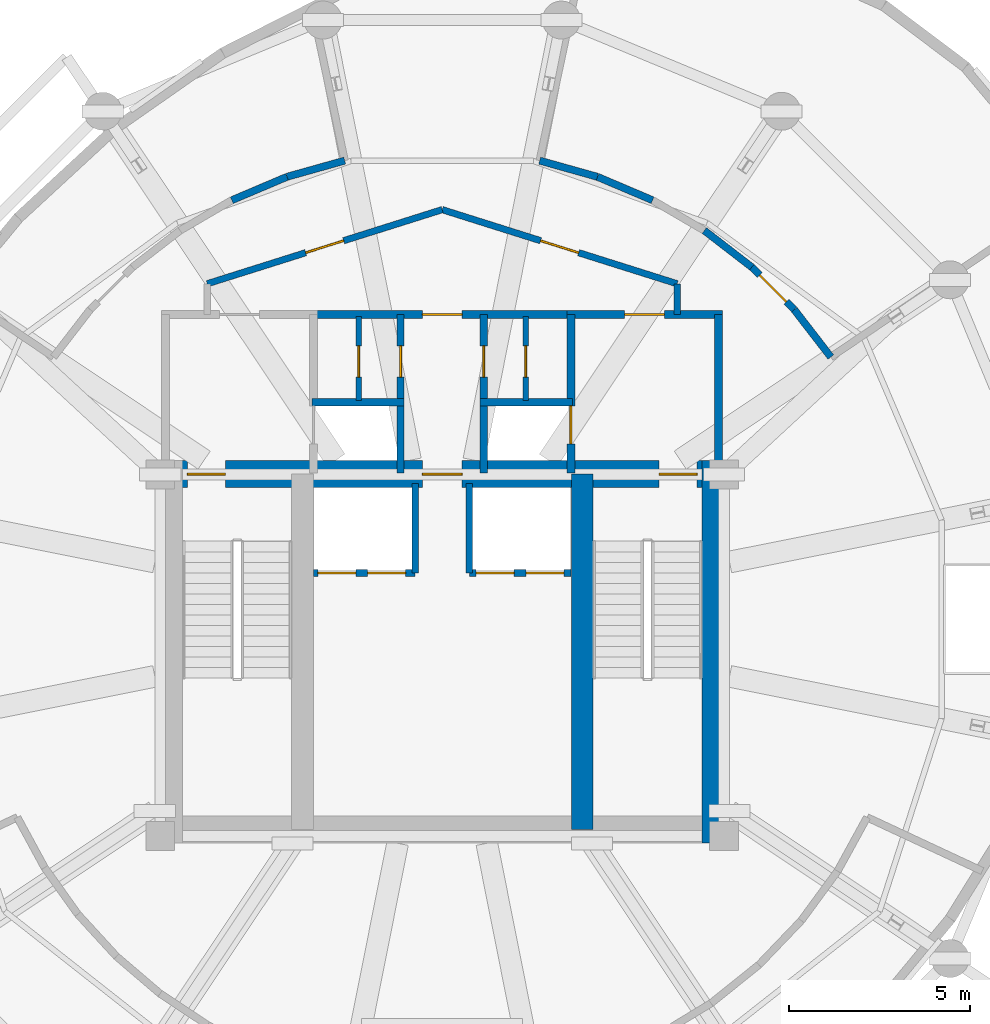
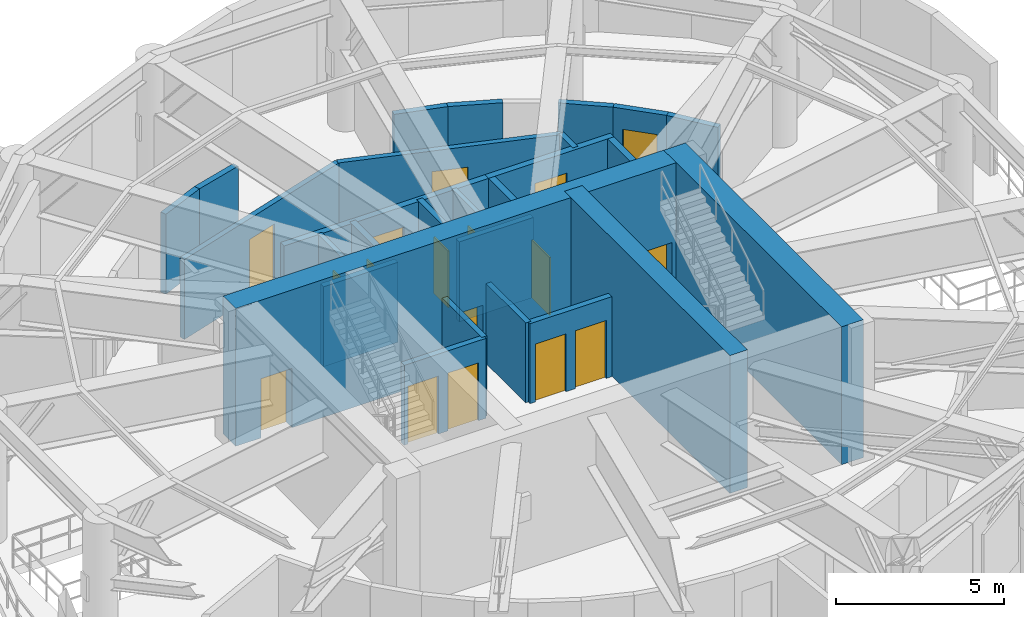
# One storey, part 4 of 7: 27 walls, 17 doors, 17 openings.
"""IFC4 building model written with IfcOpenShell, lengths in metres."""

import ifcopenshell
import ifcopenshell.guid

model = None  # the IFC model being written
_history = None  # IfcOwnerHistory: only IFC2X3 demands one
_inside = {}  # id of a spatial element -> (the spatial element, [elements in it])
_under = {}  # id of a project, library or spatial element -> (it, [spatial elements below it])
_declared = {}  # id of a project -> (the project, [libraries it declares])
_typed = {}  # id of a type object -> (the type object, [elements of that type])
_made_of = {}  # id of a material, layer set ... -> (it, [elements and type objects made of it])


def new_model(schema):
    """Start an empty IFC model of exactly this schema.

    Asked for "IFC4X3", IfcOpenShell would pick the latest addendum, in which some entities
    have other attributes; the version numbers below select the first issue.
    IFC2X3 requires an IfcOwnerHistory on every rooted entity: one is made here for all.
    """
    global model, _history
    if schema == "IFC4X3":
        model = ifcopenshell.file(schema_version=(4, 3, 0, 0))
    else:
        model = ifcopenshell.file(schema=schema)
    _inside.clear()
    _under.clear()
    _declared.clear()
    _typed.clear()
    _made_of.clear()
    _history = None
    if model.schema == "IFC2X3":
        org = make("IfcOrganization", Name="unknown")
        user = make(
            "IfcPersonAndOrganization",
            ThePerson=make("IfcPerson", FamilyName="unknown"),
            TheOrganization=org,
        )
        app = make(
            "IfcApplication",
            ApplicationDeveloper=org,
            Version="unknown",
            ApplicationFullName="unknown",
            ApplicationIdentifier="unknown",
        )
        _history = make(
            "IfcOwnerHistory",
            OwningUser=user,
            OwningApplication=app,
            ChangeAction="ADDED",
            CreationDate=0,
        )
    return model


def make(cls, **values):
    """One entity of the class cls with the attributes given. An attribute that is None is left unset."""
    return model.create_entity(
        cls, **{name: value for name, value in values.items() if value is not None}
    )


def rooted(cls, **values):
    """An entity with a GlobalId (a new one), such as an element, a storey or a relation."""
    return make(cls, GlobalId=ifcopenshell.guid.new(), OwnerHistory=_history, **values)


def si_unit(unit_type, name, prefix=None):
    """IfcSIUnit, for example si_unit("LENGTHUNIT", "METRE", prefix="MILLI")."""
    return make("IfcSIUnit", UnitType=unit_type, Prefix=prefix, Name=name)


def assignment(units):
    """IfcUnitAssignment: the units of a project."""
    return None if units is None else make("IfcUnitAssignment", Units=units)


def point(xyz):
    """IfcCartesianPoint."""
    return None if xyz is None else make("IfcCartesianPoint", Coordinates=xyz)


def direction(xyz):
    """IfcDirection."""
    return None if xyz is None else make("IfcDirection", DirectionRatios=xyz)


def frame(location, z_axis=None, x_axis=None):
    """IfcAxis2Placement3D, a coordinate frame: its origin and axes. An axis left out is left unset."""
    return make(
        "IfcAxis2Placement3D",
        Location=point(location),
        Axis=direction(z_axis),
        RefDirection=direction(x_axis),
    )


def frame_2d(location, x_axis=None):
    """IfcAxis2Placement2D, a coordinate frame in the plane: its origin and x axis."""
    return make(
        "IfcAxis2Placement2D", Location=point(location), RefDirection=direction(x_axis)
    )


def origin():
    """The frame at (0, 0, 0) with its axes left unset."""
    return frame((0.0, 0.0, 0.0))


def place(relative_to, where):
    """IfcLocalPlacement: puts the frame where relative to a parent placement (None: the world)."""
    return make(
        "IfcLocalPlacement", PlacementRelTo=relative_to, RelativePlacement=where
    )


def context(
    kind, dimensions, precision=None, world=None, true_north=None, identifier=None
):
    """IfcGeometricRepresentationContext, for example the 3D "Model" context."""
    return make(
        "IfcGeometricRepresentationContext",
        ContextIdentifier=identifier,
        ContextType=kind,
        CoordinateSpaceDimension=dimensions,
        Precision=precision,
        WorldCoordinateSystem=world,
        TrueNorth=true_north,
    )


def subcontext(parent, identifier, kind, view, scale=None):
    """IfcGeometricRepresentationSubContext, for example "Body" below "Model"."""
    return make(
        "IfcGeometricRepresentationSubContext",
        ContextIdentifier=identifier,
        ContextType=kind,
        ParentContext=parent,
        TargetScale=scale,
        TargetView=view,
    )


def project(units=None, contexts=None):
    """IfcProject with its units and contexts."""
    return rooted(
        "IfcProject",
        Name="project",
        RepresentationContexts=contexts,
        UnitsInContext=assignment(units),
    )


def spatial(cls, under=None, at=None, **own):
    """A site, building, storey or space (cls), placed at a placement, below another one or the project."""
    s = rooted(cls, ObjectPlacement=at, **own)
    if under is not None:
        _under.setdefault(under.id(), (under, []))[1].append(s)
    return s


def profile(cls, at=None, kind="AREA", **sizes):
    """A parametric profile (cls). Its sizes go by their IFC names, for example OverallWidth=200.0."""
    return make(cls, ProfileType=kind, Position=at, **sizes)


def rectangle(**sizes):
    """IfcRectangleProfileDef."""
    return profile("IfcRectangleProfileDef", **sizes)


def extrude(swept, where, along, depth):
    """IfcExtrudedAreaSolid: the profile swept, set in the frame where, extruded along a direction by depth."""
    return make(
        "IfcExtrudedAreaSolid",
        SweptArea=swept,
        Position=where,
        ExtrudedDirection=direction(along),
        Depth=depth,
    )


def shape(context_of_items, identifier, shape_type, items):
    """IfcShapeRepresentation: the items that make up one representation, for example the "Body"."""
    return make(
        "IfcShapeRepresentation",
        ContextOfItems=context_of_items,
        RepresentationIdentifier=identifier,
        RepresentationType=shape_type,
        Items=items,
    )


def material(Name=None, Category=None):
    """IfcMaterial."""
    return make("IfcMaterial", Name=Name, Category=Category)


def layer(
    of_material, thickness, ventilated=None, Name=None, Category=None, Priority=None
):
    """IfcMaterialLayer: one layer of a wall or slab, of a material (None: an air gap)."""
    return make(
        "IfcMaterialLayer",
        Material=of_material,
        LayerThickness=thickness,
        IsVentilated=ventilated,
        Name=Name,
        Category=Category,
        Priority=Priority,
    )


def layer_set(layers, Name=None):
    """IfcMaterialLayerSet."""
    return make("IfcMaterialLayerSet", MaterialLayers=layers, LayerSetName=Name)


def made_of(thing, what):
    """Note that an element or type object is made of a material, layer set ...; save() writes the relation."""
    if what is not None:
        _made_of.setdefault(what.id(), (what, []))[1].append(thing)
    return thing


def type_object(cls, material=None, **own):
    """A type object (cls), such as IfcWallType, which elements share."""
    return made_of(rooted(cls, **own), material)


def element(
    cls,
    number,
    at=None,
    inside=None,
    cuts=None,
    type_object=None,
    material=None,
    context=None,
    identifier="Body",
    shape_type=None,
    held_by="IfcProductDefinitionShape",
    body=None,
    shapes=None,
    **own,
):
    """One element of the class cls, such as IfcWall. Its Tag is "e" and its number.

    at: its placement. inside: the storey or other place that contains it. cuts: it is an
    opening in that element (IfcRelVoidsElement). A single representation is given by context,
    identifier, shape_type and body (its items); several are given by shapes. held_by: the class
    of the entity that holds the representations. save() writes the other relations.
    """
    e = rooted(cls, Tag="e%d" % number, ObjectPlacement=at, **own)
    if body is not None:
        shapes = [shape(context, identifier, shape_type, body)]
    if shapes is not None:
        e.Representation = make(held_by, Representations=shapes)
    if inside is not None:
        _inside.setdefault(inside.id(), (inside, []))[1].append(e)
    if cuts is not None:
        rooted(
            "IfcRelVoidsElement", RelatingBuildingElement=cuts, RelatedOpeningElement=e
        )
    if type_object is not None:
        _typed.setdefault(type_object.id(), (type_object, []))[1].append(e)
    return made_of(e, material)


def fill(opening, filler):
    """IfcRelFillsElement: the door or window that sits in an opening."""
    return rooted(
        "IfcRelFillsElement",
        RelatingOpeningElement=opening,
        RelatedBuildingElement=filler,
    )


def aggregate(whole, parts):
    """IfcRelAggregates: a whole, such as a stair, and the parts it consists of."""
    return rooted("IfcRelAggregates", RelatingObject=whole, RelatedObjects=parts)


def save(model, path):
    """Write the relations noted so far, then the file.

    IfcRelAggregates (storeys below a building ...), IfcRelContainedInSpatialStructure (elements
    in a storey), IfcRelDefinesByType, IfcRelAssociatesMaterial and IfcRelDeclares: one each for
    every whole, place, type object, material and project.
    """
    for whole, parts in _under.values():
        aggregate(whole, parts)
    for where, things in _inside.values():
        rooted(
            "IfcRelContainedInSpatialStructure",
            RelatedElements=things,
            RelatingStructure=where,
        )
    for kind, things in _typed.values():
        rooted("IfcRelDefinesByType", RelatedObjects=things, RelatingType=kind)
    for what, things in _made_of.values():
        rooted("IfcRelAssociatesMaterial", RelatedObjects=things, RelatingMaterial=what)
    for by, libraries in _declared.values():
        rooted("IfcRelDeclares", RelatingContext=by, RelatedDefinitions=libraries)
    model.write(path)


model = new_model("IFC4")

# Units and contexts
model_context = context("Model", 3, precision=1e-05, world=origin(), true_north=direction((0.0, 1.0)))
body_context = subcontext(model_context, "Body", "Model", "MODEL_VIEW")
ifc_project = project(units=[si_unit("LENGTHUNIT", "METRE"), si_unit("AREAUNIT", "SQUARE_METRE"), si_unit("VOLUMEUNIT", "CUBIC_METRE"), si_unit("PLANEANGLEUNIT", "RADIAN"), si_unit("MASSUNIT", "GRAM", prefix="KILO"), si_unit("THERMODYNAMICTEMPERATUREUNIT", "KELVIN"), si_unit("POWERUNIT", "WATT")], contexts=[model_context])

# Site, building, storey
site_placement = place(None, origin())
site = spatial("IfcSite", under=ifc_project, at=site_placement, CompositionType="ELEMENT")
building_placement = place(site_placement, origin())
building = spatial("IfcBuilding", under=site, at=building_placement, Name="Ocrelia Relay Tower", CompositionType="ELEMENT")
storey_placement = place(building_placement, frame((0.0, 0.0, 225.39990234375)))
storey = spatial("IfcBuildingStorey", under=building, at=storey_placement, Name="L55", CompositionType="ELEMENT", Elevation=225.39990234375)

# Wall, openings, doors
ifc_material_1 = material(Name="Concrete C60/75", Category="concrete")
ifc_layer_1 = layer(ifc_material_1, 0.75, Name="Concrete C60/75")
ifc_layer_set_1 = layer_set([ifc_layer_1], Name="Concrete C60/75")
wall_type_1 = type_object("IfcWallType", Name="CW-CORE-750", PredefinedType="SHEAR", material=ifc_layer_set_1)
wall_1_placement = place(storey_placement, frame((26.072021484375, 30.012939453125, 0.0), z_axis=(0.0, 0.0, 1.0), x_axis=(1.0, 0.0, 0.0)))
wall_1 = element("IfcWall", 1, at=wall_1_placement, inside=storey, type_object=wall_type_1, Name="L55 Core Shear Wall N", PredefinedType="SHEAR", context=body_context, shape_type="SweptSolid", body=[
    extrude(rectangle(XDim=15.865966796875, YDim=0.75, at=frame_2d((7.93310546875, 0.0))), origin(), (0.0, 0.0, 1.0), 5.0),
])
opening_1_placement = place(wall_1_placement, frame((0.8779296875, 0.0, 0.0)))
opening_1 = element("IfcOpeningElement", 2, at=opening_1_placement, cuts=wall_1, Name="Opening D-FD90", PredefinedType="OPENING", context=body_context, shape_type="SweptSolid", body=[
    extrude(rectangle(XDim=1.050048828125, YDim=2.14990234375, at=frame_2d((0.52490234375, 1.074951171875))), frame((0.0, 0.385009765625, 0.0), z_axis=(0.0, -1.0, 0.0), x_axis=(1.0, 0.0, 0.0)), (0.0, 0.0, 1.0), 0.77001953125),
])
opening_2_placement = place(wall_1_placement, frame((13.927978515625, 0.0, 0.0)))
opening_2 = element("IfcOpeningElement", 3, at=opening_2_placement, cuts=wall_1, Name="Opening D-FD90", PredefinedType="OPENING", context=body_context, shape_type="SweptSolid", body=[
    extrude(rectangle(XDim=1.050048828125, YDim=2.14990234375, at=frame_2d((0.52490234375, 1.074951171875))), frame((0.0, 0.385009765625, 0.0), z_axis=(0.0, -1.0, 0.0), x_axis=(1.0, 0.0, 0.0)), (0.0, 0.0, 1.0), 0.77001953125),
])
opening_3_placement = place(wall_1_placement, frame((7.3779296875, 0.0, 0.0)))
opening_3 = element("IfcOpeningElement", 4, at=opening_3_placement, cuts=wall_1, Name="Opening D-FD60", PredefinedType="OPENING", context=body_context, shape_type="SweptSolid", body=[
    extrude(rectangle(XDim=1.10009765625, YDim=2.14990234375, at=frame_2d((0.550048828125, 1.074951171875))), frame((0.0, 0.385009765625, 0.0), z_axis=(0.0, -1.0, 0.0), x_axis=(1.0, 0.0, 0.0)), (0.0, 0.0, 1.0), 0.77001953125),
])
ifc_material_2 = material(Name="Timber-core 60-min acoustic fire door", Category="wood")
door_type_1 = type_object("IfcDoorType", Name="DR-LOBBY-FD60-1100", OperationType="NOTDEFINED", PredefinedType="DOOR", material=ifc_material_2)
door_1_placement = place(opening_3_placement, origin())
door_1 = element("IfcDoor", 5, at=door_1_placement, inside=storey, type_object=door_type_1, Name="L55 Core Lift Lobby North Fire Door", OperationType="SINGLE_SWING_RIGHT", OverallHeight=2.14990234375, OverallWidth=1.10009765625, PredefinedType="DOOR", context=body_context, shape_type="SweptSolid", body=[
    extrude(rectangle(XDim=1.10009765625, YDim=2.14990234375, at=frame_2d((0.550048828125, 1.074951171875))), frame((0.0, 0.02490234375, 0.0), z_axis=(0.0, -1.0, 0.0), x_axis=(1.0, 0.0, 0.0)), (0.0, 0.0, 1.0), 0.050048828125),
])
fill(opening_3, door_1)
ifc_material_3 = material(Name="Steel S355 90-min fire door", Category="steel")
door_type_2 = type_object("IfcDoorType", Name="DR-STAIR-FD90-1050", OperationType="NOTDEFINED", PredefinedType="DOOR", material=ifc_material_3)
door_2_placement = place(opening_1_placement, origin())
door_2 = element("IfcDoor", 6, at=door_2_placement, inside=storey, type_object=door_type_2, Name="L55 Stair ST1 Fire Door", OperationType="SINGLE_SWING_RIGHT", OverallHeight=2.14990234375, OverallWidth=1.050048828125, PredefinedType="DOOR", context=body_context, shape_type="SweptSolid", body=[
    extrude(rectangle(XDim=1.050048828125, YDim=2.14990234375, at=frame_2d((0.52490234375, 1.074951171875))), frame((0.0, 0.02490234375, 0.0), z_axis=(0.0, -1.0, 0.0), x_axis=(1.0, 0.0, 0.0)), (0.0, 0.0, 1.0), 0.050048828125),
])
fill(opening_1, door_2)
door_3_placement = place(opening_2_placement, origin())
door_3 = element("IfcDoor", 7, at=door_3_placement, inside=storey, type_object=door_type_2, Name="L55 Stair ST2 Fire Door", OperationType="SINGLE_SWING_LEFT", OverallHeight=2.14990234375, OverallWidth=1.050048828125, PredefinedType="DOOR", context=body_context, shape_type="SweptSolid", body=[
    extrude(rectangle(XDim=1.050048828125, YDim=2.14990234375, at=frame_2d((0.52490234375, 1.074951171875))), frame((0.0, 0.02490234375, 0.0), z_axis=(0.0, -1.0, 0.0), x_axis=(1.0, 0.0, 0.0)), (0.0, 0.0, 1.0), 0.050048828125),
])
fill(opening_2, door_3)

# Walls
wall_2_placement = place(storey_placement, frame((41.56298828125, 19.81201171875, 0.0), z_axis=(0.0, 0.0, 1.0), x_axis=(0.0, 1.0, 0.0)))
element("IfcWall", 8, at=wall_2_placement, inside=storey, type_object=wall_type_1, Name="L55 Core Shear Wall E", PredefinedType="SHEAR", context=body_context, shape_type="SweptSolid", body=[
    extrude(rectangle(XDim=10.575927734375, YDim=0.75, at=frame_2d((5.2880859375, 0.0))), origin(), (0.0, 0.0, 1.0), 5.0),
])
wall_3_placement = place(storey_placement, frame((37.8720703125, 20.18701171875, 0.0), z_axis=(0.0, 0.0, 1.0), x_axis=(0.0, 1.0, 0.0)))
element("IfcWall", 9, at=wall_3_placement, inside=storey, type_object=wall_type_1, Name="L55 Core Shear Wall SPE", PredefinedType="SHEAR", context=body_context, shape_type="SweptSolid", body=[
    extrude(rectangle(XDim=9.825927734375, YDim=0.60009765625, at=frame_2d((4.9130859375, 0.0))), origin(), (0.0, 0.0, 1.0), 5.0),
])
ifc_material_4 = material(Name="Gypsum Fireboard Partition EI60", Category="gypsum")
ifc_layer_2 = layer(ifc_material_4, 0.179931640625, Name="Gypsum Fireboard Partition EI60")
ifc_layer_set_2 = layer_set([ifc_layer_2], Name="Gypsum Fireboard Partition EI60")
wall_type_2 = type_object("IfcWallType", Name="W-CORR-EI60-180", PredefinedType="PARTITIONING", material=ifc_layer_set_2)
wall_4_placement = place(storey_placement, frame((40.5, 35.280029296875, 0.0), z_axis=(0.0, 0.0, 1.0), x_axis=(0.0, -1.0, 0.0)))
element("IfcWall", 10, at=wall_4_placement, inside=storey, type_object=wall_type_2, Name="L55 Smoke Lobby East Return", PredefinedType="PARTITIONING", context=body_context, shape_type="SweptSolid", body=[
    extrude(rectangle(XDim=0.85009765625, YDim=0.179931640625, at=frame_2d((0.425048828125, 0.0))), origin(), (0.0, 0.0, 1.0), 2.900146484375),
])

# Wall, opening, door
wall_5_placement = place(storey_placement, frame((27.5, 35.280029296875, 0.0), z_axis=(0.0, 0.0, 1.0), x_axis=(0.953691418528, 0.300786765376, 0.0)))
wall_5 = element("IfcWall", 11, at=wall_5_placement, inside=storey, type_object=wall_type_2, Name="L55 North Smoke Lobby W Screen Wall", PredefinedType="PARTITIONING", context=body_context, shape_type="SweptSolid", body=[
    extrude(rectangle(XDim=6.815673828125, YDim=0.179931640625, at=frame_2d((3.40771484375, 0.0))), origin(), (0.0, 0.0, 1.0), 2.900146484375),
])
opening_4_placement = place(wall_5_placement, frame((2.85791015625, 0.0, 0.0)))
opening_4 = element("IfcOpeningElement", 12, at=opening_4_placement, cuts=wall_5, Name="Opening D-FD60", PredefinedType="OPENING", context=body_context, shape_type="SweptSolid", body=[
    extrude(rectangle(XDim=1.10009765625, YDim=2.14990234375, at=frame_2d((0.550048828125, 1.074951171875))), frame((0.0, 0.10009765625, 0.0), z_axis=(0.0, -1.0, 0.0), x_axis=(1.0, 0.0, 0.0)), (0.0, 0.0, 1.0), 0.199951171875),
])
door_4_placement = place(opening_4_placement, origin())
door_4 = element("IfcDoor", 13, at=door_4_placement, inside=storey, type_object=door_type_1, Name="L55 North Smoke Lobby W Fire Door", OperationType="SINGLE_SWING_RIGHT", OverallHeight=2.14990234375, OverallWidth=1.10009765625, PredefinedType="DOOR", context=body_context, shape_type="SweptSolid", body=[
    extrude(rectangle(XDim=1.10009765625, YDim=2.14990234375, at=frame_2d((0.550048828125, 1.074951171875))), frame((0.0, 0.02490234375, 0.0), z_axis=(0.0, -1.0, 0.0), x_axis=(1.0, 0.0, 0.0)), (0.0, 0.0, 1.0), 0.050048828125),
])
fill(opening_4, door_4)

wall_6_placement = place(storey_placement, frame((34.0, 37.330078125, 0.0), z_axis=(0.0, 0.0, 1.0), x_axis=(0.953691418528, -0.300786765376, 0.0)))
wall_6 = element("IfcWall", 14, at=wall_6_placement, inside=storey, type_object=wall_type_2, Name="L55 North Smoke Lobby E Screen Wall", PredefinedType="PARTITIONING", context=body_context, shape_type="SweptSolid", body=[
    extrude(rectangle(XDim=6.815673828125, YDim=0.179931640625, at=frame_2d((3.40771484375, 0.0))), origin(), (0.0, 0.0, 1.0), 2.900146484375),
])
opening_5_placement = place(wall_6_placement, frame((2.85791015625, 0.0, 0.0)))
opening_5 = element("IfcOpeningElement", 15, at=opening_5_placement, cuts=wall_6, Name="Opening D-FD60", PredefinedType="OPENING", context=body_context, shape_type="SweptSolid", body=[
    extrude(rectangle(XDim=1.10009765625, YDim=2.14990234375, at=frame_2d((0.550048828125, 1.074951171875))), frame((0.0, 0.10009765625, 0.0), z_axis=(0.0, -1.0, 0.0), x_axis=(1.0, 0.0, 0.0)), (0.0, 0.0, 1.0), 0.199951171875),
])
door_5_placement = place(opening_5_placement, origin())
door_5 = element("IfcDoor", 16, at=door_5_placement, inside=storey, type_object=door_type_1, Name="L55 North Smoke Lobby E Fire Door", OperationType="SINGLE_SWING_LEFT", OverallHeight=2.14990234375, OverallWidth=1.10009765625, PredefinedType="DOOR", context=body_context, shape_type="SweptSolid", body=[
    extrude(rectangle(XDim=1.10009765625, YDim=2.14990234375, at=frame_2d((0.550048828125, 1.074951171875))), frame((0.0, 0.02490234375, 0.0), z_axis=(0.0, -1.0, 0.0), x_axis=(1.0, 0.0, 0.0)), (0.0, 0.0, 1.0), 0.050048828125),
])
fill(opening_5, door_5)

ifc_material_5 = material(Name="Concrete C50/60", Category="concrete")
ifc_layer_3 = layer(ifc_material_5, 0.219970703125, Name="Concrete C50/60")
ifc_layer_set_3 = layer_set([ifc_layer_3], Name="Concrete C50/60")
wall_type_3 = type_object("IfcWallType", Name="W-FFL-EI120-220", PredefinedType="SOLIDWALL", material=ifc_layer_set_3)
wall_7_placement = place(storey_placement, frame((37.56005859375, 30.050048828125, 0.0), z_axis=(0.0, 0.0, 1.0), x_axis=(0.0, 1.0, 0.0)))
wall_7 = element("IfcWall", 17, at=wall_7_placement, inside=storey, type_object=wall_type_3, Name="L55 E Fire Service Lift Lobby West Wall", PredefinedType="SOLIDWALL", context=body_context, shape_type="SweptSolid", body=[
    extrude(rectangle(XDim=4.3798828125, YDim=0.219970703125, at=frame_2d((2.18994140625, 0.0))), origin(), (0.0, 0.0, 1.0), 2.900146484375),
])
opening_6_placement = place(wall_7_placement, frame((0.800048828125, 0.0, 0.0)))
opening_6 = element("IfcOpeningElement", 18, at=opening_6_placement, cuts=wall_7, Name="Opening LD-FFL2", PredefinedType="OPENING", context=body_context, shape_type="SweptSolid", body=[
    extrude(rectangle(XDim=1.050048828125, YDim=2.10009765625, at=frame_2d((0.52490234375, 1.050048828125))), frame((0.0, 0.1201171875, 0.0), z_axis=(0.0, -1.0, 0.0), x_axis=(1.0, 0.0, 0.0)), (0.0, 0.0, 1.0), 0.239990234375),
])
ifc_material_6 = material(Name="Brushed stainless steel S355 lift landing door", Category="steel")
door_type_3 = type_object("IfcDoorType", Name="DR-LIFT-LAND-1050", OperationType="DOUBLE_DOOR_SLIDING", PredefinedType="USERDEFINED", material=ifc_material_6)
door_6_placement = place(opening_6_placement, origin())
door_6 = element("IfcDoor", 19, at=door_6_placement, inside=storey, type_object=door_type_3, Name="L55 Firefighting Lift FFL2 Sliding Landing Door", ObjectType="LANDING DOOR", OperationType="DOUBLE_DOOR_SLIDING", OverallHeight=2.10009765625, OverallWidth=1.050048828125, PredefinedType="USERDEFINED", context=body_context, shape_type="SweptSolid", body=[
    extrude(rectangle(XDim=1.050048828125, YDim=2.10009765625, at=frame_2d((0.52490234375, 1.050048828125))), frame((0.0, 0.02490234375, 0.0), z_axis=(0.0, -1.0, 0.0), x_axis=(1.0, 0.0, 0.0)), (0.0, 0.0, 1.0), 0.050048828125),
])
fill(opening_6, door_6)

# Wall
wall_8_placement = place(storey_placement, frame((41.64990234375, 30.050048828125, 0.0), z_axis=(0.0, 0.0, 1.0), x_axis=(0.0, 1.0, 0.0)))
element("IfcWall", 20, at=wall_8_placement, inside=storey, type_object=wall_type_3, Name="L55 E Fire Service Lift Lobby East Wall", PredefinedType="SOLIDWALL", context=body_context, shape_type="SweptSolid", body=[
    extrude(rectangle(XDim=4.3798828125, YDim=0.219970703125, at=frame_2d((2.18994140625, 0.0))), origin(), (0.0, 0.0, 1.0), 2.900146484375),
])

# Wall, opening, door
wall_9_placement = place(storey_placement, frame((37.449951171875, 34.429931640625, 0.0), z_axis=(0.0, 0.0, 1.0), x_axis=(1.0, 0.0, 0.0)))
wall_9 = element("IfcWall", 21, at=wall_9_placement, inside=storey, type_object=wall_type_3, Name="L55 E Fire Service Lift Lobby North Wall", PredefinedType="SOLIDWALL", context=body_context, shape_type="SweptSolid", body=[
    extrude(rectangle(XDim=4.31005859375, YDim=0.219970703125, at=frame_2d((2.155029296875, 0.0))), origin(), (0.0, 0.0, 1.0), 2.900146484375),
])
opening_7_placement = place(wall_9_placement, frame((1.60009765625, 0.0, 0.0)))
opening_7 = element("IfcOpeningElement", 22, at=opening_7_placement, cuts=wall_9, Name="Opening D-FD60", PredefinedType="OPENING", context=body_context, shape_type="SweptSolid", body=[
    extrude(rectangle(XDim=1.10009765625, YDim=2.14990234375, at=frame_2d((0.550048828125, 1.074951171875))), frame((0.0, 0.1201171875, 0.0), z_axis=(0.0, -1.0, 0.0), x_axis=(1.0, 0.0, 0.0)), (0.0, 0.0, 1.0), 0.239990234375),
])
door_7_placement = place(opening_7_placement, origin())
door_7 = element("IfcDoor", 23, at=door_7_placement, inside=storey, type_object=door_type_1, Name="L55 E Fire Service Lift Lobby Exit Door", OperationType="SINGLE_SWING_LEFT", OverallHeight=2.14990234375, OverallWidth=1.10009765625, PredefinedType="DOOR", context=body_context, shape_type="SweptSolid", body=[
    extrude(rectangle(XDim=1.10009765625, YDim=2.14990234375, at=frame_2d((0.550048828125, 1.074951171875))), frame((0.0, 0.02490234375, 0.0), z_axis=(0.0, -1.0, 0.0), x_axis=(1.0, 0.0, 0.0)), (0.0, 0.0, 1.0), 0.050048828125),
])
fill(opening_7, door_7)

wall_10_placement = place(storey_placement, frame((30.43994140625, 34.429931640625, 0.0), z_axis=(0.0, 0.0, 1.0), x_axis=(1.0, 0.0, 0.0)))
wall_10 = element("IfcWall", 24, at=wall_10_placement, inside=storey, type_object=wall_type_3, Name="L55 North Core Vestibule Wall", PredefinedType="SOLIDWALL", context=body_context, shape_type="SweptSolid", body=[
    extrude(rectangle(XDim=7.1201171875, YDim=0.219970703125, at=frame_2d((3.56005859375, 0.0))), origin(), (0.0, 0.0, 1.0), 2.900146484375),
])
opening_8_placement = place(wall_10_placement, frame((3.010009765625, 0.0, 0.0)))
opening_8 = element("IfcOpeningElement", 25, at=opening_8_placement, cuts=wall_10, Name="Opening D-FD60", PredefinedType="OPENING", context=body_context, shape_type="SweptSolid", body=[
    extrude(rectangle(XDim=1.10009765625, YDim=2.14990234375, at=frame_2d((0.550048828125, 1.074951171875))), frame((0.0, 0.1201171875, 0.0), z_axis=(0.0, -1.0, 0.0), x_axis=(1.0, 0.0, 0.0)), (0.0, 0.0, 1.0), 0.239990234375),
])
door_8_placement = place(opening_8_placement, origin())
door_8 = element("IfcDoor", 26, at=door_8_placement, inside=storey, type_object=door_type_1, Name="L55 North Core Vestibule Corridor Door", OperationType="SINGLE_SWING_LEFT", OverallHeight=2.14990234375, OverallWidth=1.10009765625, PredefinedType="DOOR", context=body_context, shape_type="SweptSolid", body=[
    extrude(rectangle(XDim=1.10009765625, YDim=2.14990234375, at=frame_2d((0.550048828125, 1.074951171875))), frame((0.0, 0.02490234375, 0.0), z_axis=(0.0, -1.0, 0.0), x_axis=(1.0, 0.0, 0.0)), (0.0, 0.0, 1.0), 0.050048828125),
])
fill(opening_8, door_8)

ifc_material_7 = material(Name="Acoustic Fireboard Partition EI60", Category="gypsum")
ifc_layer_4 = layer(ifc_material_7, 0.14990234375, Name="Acoustic Fireboard Partition EI60")
ifc_layer_set_4 = layer_set([ifc_layer_4], Name="Acoustic Fireboard Partition EI60")
wall_type_4 = type_object("IfcWallType", Name="W-PART-150", PredefinedType="PARTITIONING", material=ifc_layer_set_4)
wall_11_placement = place(storey_placement, frame((31.68994140625, 32.050048828125, 0.0), z_axis=(0.0, 0.0, 1.0), x_axis=(0.0, 1.0, 0.0)))
wall_11 = element("IfcWall", 27, at=wall_11_placement, inside=storey, type_object=wall_type_4, Name="L55 West Core Support Partition", PredefinedType="PARTITIONING", context=body_context, shape_type="SweptSolid", body=[
    extrude(rectangle(XDim=2.329833984375, YDim=0.14990234375, at=frame_2d((1.1650390625, 0.0))), origin(), (0.0, 0.0, 1.0), 2.900146484375),
])
opening_9_placement = place(wall_11_placement, frame((0.64990234375, 0.0, 0.0)))
opening_9 = element("IfcOpeningElement", 28, at=opening_9_placement, cuts=wall_11, Name="Opening D-RS86", PredefinedType="OPENING", context=body_context, shape_type="SweptSolid", body=[
    extrude(rectangle(XDim=0.860107421875, YDim=2.050048828125, at=frame_2d((0.43017578125, 1.02490234375))), frame((0.0, 0.0849609375, 0.0), z_axis=(0.0, -1.0, 0.0), x_axis=(1.0, 0.0, 0.0)), (0.0, 0.0, 1.0), 0.169921875),
])
ifc_material_8 = material(Name="Steel S355 riser access fire door", Category="steel")
door_type_4 = type_object("IfcDoorType", Name="DR-RISER-TRAP-860", OperationType="NOTDEFINED", PredefinedType="TRAPDOOR", material=ifc_material_8)
door_9_placement = place(opening_9_placement, origin())
door_9 = element("IfcDoor", 29, at=door_9_placement, inside=storey, type_object=door_type_4, Name="L55 West Core Store Connecting Door", OperationType="SINGLE_SWING_RIGHT", OverallHeight=2.050048828125, OverallWidth=0.860107421875, PredefinedType="TRAPDOOR", context=body_context, shape_type="SweptSolid", body=[
    extrude(rectangle(XDim=0.860107421875, YDim=2.050048828125, at=frame_2d((0.43017578125, 1.02490234375))), frame((0.0, 0.02490234375, 0.0), z_axis=(0.0, -1.0, 0.0), x_axis=(1.0, 0.0, 0.0)), (0.0, 0.0, 1.0), 0.050048828125),
])
fill(opening_9, door_9)

wall_12_placement = place(storey_placement, frame((36.31005859375, 32.050048828125, 0.0), z_axis=(0.0, 0.0, 1.0), x_axis=(0.0, 1.0, 0.0)))
wall_12 = element("IfcWall", 30, at=wall_12_placement, inside=storey, type_object=wall_type_4, Name="L55 East Core Support Partition", PredefinedType="PARTITIONING", context=body_context, shape_type="SweptSolid", body=[
    extrude(rectangle(XDim=2.329833984375, YDim=0.14990234375, at=frame_2d((1.1650390625, 0.0))), origin(), (0.0, 0.0, 1.0), 2.900146484375),
])
opening_10_placement = place(wall_12_placement, frame((0.64990234375, 0.0, 0.0)))
opening_10 = element("IfcOpeningElement", 31, at=opening_10_placement, cuts=wall_12, Name="Opening D-RS86", PredefinedType="OPENING", context=body_context, shape_type="SweptSolid", body=[
    extrude(rectangle(XDim=0.860107421875, YDim=2.050048828125, at=frame_2d((0.43017578125, 1.02490234375))), frame((0.0, 0.0849609375, 0.0), z_axis=(0.0, -1.0, 0.0), x_axis=(1.0, 0.0, 0.0)), (0.0, 0.0, 1.0), 0.169921875),
])
door_10_placement = place(opening_10_placement, origin())
door_10 = element("IfcDoor", 32, at=door_10_placement, inside=storey, type_object=door_type_4, Name="L55 East Core Store Connecting Door", OperationType="SINGLE_SWING_LEFT", OverallHeight=2.050048828125, OverallWidth=0.860107421875, PredefinedType="TRAPDOOR", context=body_context, shape_type="SweptSolid", body=[
    extrude(rectangle(XDim=0.860107421875, YDim=2.050048828125, at=frame_2d((0.43017578125, 1.02490234375))), frame((0.0, 0.02490234375, 0.0), z_axis=(0.0, -1.0, 0.0), x_axis=(1.0, 0.0, 0.0)), (0.0, 0.0, 1.0), 0.050048828125),
])
fill(opening_10, door_10)

# Wall
ifc_layer_5 = layer(ifc_material_5, 0.199951171875, Name="Concrete C50/60")
ifc_layer_set_5 = layer_set([ifc_layer_5], Name="Concrete C50/60")
wall_type_5 = type_object("IfcWallType", Name="W-SHAFT-EI120-200", PredefinedType="SOLIDWALL", material=ifc_layer_set_5)
wall_13_placement = place(storey_placement, frame((30.39990234375, 32.0, 0.0), z_axis=(0.0, 0.0, 1.0), x_axis=(1.0, 0.0, 0.0)))
element("IfcWall", 33, at=wall_13_placement, inside=storey, type_object=wall_type_5, Name="L55 FFL1 Hoistway North Wall", PredefinedType="SOLIDWALL", context=body_context, shape_type="SweptSolid", body=[
    extrude(rectangle(XDim=2.550048828125, YDim=0.199951171875, at=frame_2d((1.27490234375, 0.0))), origin(), (0.0, 0.0, 1.0), 2.900146484375),
])

# Wall, opening, door
wall_14_placement = place(storey_placement, frame((32.85009765625, 30.050048828125, 0.0), z_axis=(0.0, 0.0, 1.0), x_axis=(0.0, 1.0, 0.0)))
wall_14 = element("IfcWall", 34, at=wall_14_placement, inside=storey, type_object=wall_type_5, Name="L55 FFL1 and Service Vestibule Wall", PredefinedType="SOLIDWALL", context=body_context, shape_type="SweptSolid", body=[
    extrude(rectangle(XDim=4.3798828125, YDim=0.199951171875, at=frame_2d((2.18994140625, 0.0))), origin(), (0.0, 0.0, 1.0), 2.900146484375),
])
opening_11_placement = place(wall_14_placement, frame((2.64990234375, 0.0, 0.0)))
opening_11 = element("IfcOpeningElement", 35, at=opening_11_placement, cuts=wall_14, Name="Opening D-RS86", PredefinedType="OPENING", context=body_context, shape_type="SweptSolid", body=[
    extrude(rectangle(XDim=0.860107421875, YDim=2.050048828125, at=frame_2d((0.43017578125, 1.02490234375))), frame((0.0, 0.10986328125, 0.0), z_axis=(0.0, -1.0, 0.0), x_axis=(1.0, 0.0, 0.0)), (0.0, 0.0, 1.0), 0.219970703125),
])
door_11_placement = place(opening_11_placement, origin())
door_11 = element("IfcDoor", 36, at=door_11_placement, inside=storey, type_object=door_type_4, Name="L55 Core Support Room W Door", OperationType="SINGLE_SWING_RIGHT", OverallHeight=2.050048828125, OverallWidth=0.860107421875, PredefinedType="TRAPDOOR", context=body_context, shape_type="SweptSolid", body=[
    extrude(rectangle(XDim=0.860107421875, YDim=2.050048828125, at=frame_2d((0.43017578125, 1.02490234375))), frame((0.0, 0.02490234375, 0.0), z_axis=(0.0, -1.0, 0.0), x_axis=(1.0, 0.0, 0.0)), (0.0, 0.0, 1.0), 0.050048828125),
])
fill(opening_11, door_11)

# Wall
wall_15_placement = place(storey_placement, frame((35.050048828125, 32.0, 0.0), z_axis=(0.0, 0.0, 1.0), x_axis=(1.0, 0.0, 0.0)))
element("IfcWall", 37, at=wall_15_placement, inside=storey, type_object=wall_type_5, Name="L55 FFL2 Hoistway North Wall", PredefinedType="SOLIDWALL", context=body_context, shape_type="SweptSolid", body=[
    extrude(rectangle(XDim=2.550048828125, YDim=0.199951171875, at=frame_2d((1.27490234375, 0.0))), origin(), (0.0, 0.0, 1.0), 2.900146484375),
])

# Wall, opening, door
wall_16_placement = place(storey_placement, frame((35.14990234375, 30.050048828125, 0.0), z_axis=(0.0, 0.0, 1.0), x_axis=(0.0, 1.0, 0.0)))
wall_16 = element("IfcWall", 38, at=wall_16_placement, inside=storey, type_object=wall_type_5, Name="L55 FFL2 and Service Vestibule Wall", PredefinedType="SOLIDWALL", context=body_context, shape_type="SweptSolid", body=[
    extrude(rectangle(XDim=4.3798828125, YDim=0.199951171875, at=frame_2d((2.18994140625, 0.0))), origin(), (0.0, 0.0, 1.0), 2.900146484375),
])
opening_12_placement = place(wall_16_placement, frame((2.64990234375, 0.0, 0.0)))
opening_12 = element("IfcOpeningElement", 39, at=opening_12_placement, cuts=wall_16, Name="Opening D-RS86", PredefinedType="OPENING", context=body_context, shape_type="SweptSolid", body=[
    extrude(rectangle(XDim=0.860107421875, YDim=2.050048828125, at=frame_2d((0.43017578125, 1.02490234375))), frame((0.0, 0.10986328125, 0.0), z_axis=(0.0, -1.0, 0.0), x_axis=(1.0, 0.0, 0.0)), (0.0, 0.0, 1.0), 0.219970703125),
])
door_12_placement = place(opening_12_placement, origin())
door_12 = element("IfcDoor", 40, at=door_12_placement, inside=storey, type_object=door_type_4, Name="L55 Core Support Room E Door", OperationType="SINGLE_SWING_RIGHT", OverallHeight=2.050048828125, OverallWidth=0.860107421875, PredefinedType="TRAPDOOR", context=body_context, shape_type="SweptSolid", body=[
    extrude(rectangle(XDim=0.860107421875, YDim=2.050048828125, at=frame_2d((0.43017578125, 1.02490234375))), frame((0.0, 0.02490234375, 0.0), z_axis=(0.0, -1.0, 0.0), x_axis=(1.0, 0.0, 0.0)), (0.0, 0.0, 1.0), 0.050048828125),
])
fill(opening_12, door_12)

# Wall, openings, doors
wall_17_placement = place(storey_placement, frame((30.43994140625, 27.280029296875, 0.0), z_axis=(0.0, 0.0, 1.0), x_axis=(1.0, 0.0, 0.0)))
wall_17 = element("IfcWall", 41, at=wall_17_placement, inside=storey, type_object=wall_type_5, Name="L55 High-Rise Lift Hoistway Wall W", PredefinedType="SOLIDWALL", context=body_context, shape_type="SweptSolid", body=[
    extrude(rectangle(XDim=2.81005859375, YDim=0.199951171875, at=frame_2d((1.405029296875, 0.0))), origin(), (0.0, 0.0, 1.0), 2.900146484375),
])
opening_13_placement = place(wall_17_placement, frame((0.1201171875, 0.0, 0.0)))
opening_13 = element("IfcOpeningElement", 42, at=opening_13_placement, cuts=wall_17, Name="Opening LD-PL5", PredefinedType="OPENING", context=body_context, shape_type="SweptSolid", body=[
    extrude(rectangle(XDim=1.050048828125, YDim=2.10009765625, at=frame_2d((0.52490234375, 1.050048828125))), frame((0.0, 0.10986328125, 0.0), z_axis=(0.0, -1.0, 0.0), x_axis=(1.0, 0.0, 0.0)), (0.0, 0.0, 1.0), 0.219970703125),
])
opening_14_placement = place(wall_17_placement, frame((1.5, 0.0, 0.0)))
opening_14 = element("IfcOpeningElement", 43, at=opening_14_placement, cuts=wall_17, Name="Opening LD-PL6", PredefinedType="OPENING", context=body_context, shape_type="SweptSolid", body=[
    extrude(rectangle(XDim=1.050048828125, YDim=2.10009765625, at=frame_2d((0.52490234375, 1.050048828125))), frame((0.0, 0.10986328125, 0.0), z_axis=(0.0, -1.0, 0.0), x_axis=(1.0, 0.0, 0.0)), (0.0, 0.0, 1.0), 0.219970703125),
])
door_13_placement = place(opening_13_placement, origin())
door_13 = element("IfcDoor", 44, at=door_13_placement, inside=storey, type_object=door_type_3, Name="L55 High-Rise Lift PL5 Sliding Landing Door", ObjectType="LANDING DOOR", OperationType="DOUBLE_DOOR_SLIDING", OverallHeight=2.10009765625, OverallWidth=1.050048828125, PredefinedType="USERDEFINED", context=body_context, shape_type="SweptSolid", body=[
    extrude(rectangle(XDim=1.050048828125, YDim=2.10009765625, at=frame_2d((0.52490234375, 1.050048828125))), frame((0.0, 0.02490234375, 0.0), z_axis=(0.0, -1.0, 0.0), x_axis=(1.0, 0.0, 0.0)), (0.0, 0.0, 1.0), 0.050048828125),
])
fill(opening_13, door_13)
door_14_placement = place(opening_14_placement, origin())
door_14 = element("IfcDoor", 45, at=door_14_placement, inside=storey, type_object=door_type_3, Name="L55 High-Rise Lift PL6 Sliding Landing Door", ObjectType="LANDING DOOR", OperationType="DOUBLE_DOOR_SLIDING", OverallHeight=2.10009765625, OverallWidth=1.050048828125, PredefinedType="USERDEFINED", context=body_context, shape_type="SweptSolid", body=[
    extrude(rectangle(XDim=1.050048828125, YDim=2.10009765625, at=frame_2d((0.52490234375, 1.050048828125))), frame((0.0, 0.02490234375, 0.0), z_axis=(0.0, -1.0, 0.0), x_axis=(1.0, 0.0, 0.0)), (0.0, 0.0, 1.0), 0.050048828125),
])
fill(opening_14, door_14)

# Wall
wall_18_placement = place(storey_placement, frame((33.25, 27.280029296875, 0.0), z_axis=(0.0, 0.0, 1.0), x_axis=(0.0, 1.0, 0.0)))
element("IfcWall", 46, at=wall_18_placement, inside=storey, type_object=wall_type_5, Name="L55 High-Rise Lift Throat Wall W", PredefinedType="SOLIDWALL", context=body_context, shape_type="SweptSolid", body=[
    extrude(rectangle(XDim=2.469970703125, YDim=0.179931640625, at=frame_2d((1.23486328125, 0.0))), origin(), (0.0, 0.0, 1.0), 2.900146484375),
])

# Wall, openings, doors
wall_19_placement = place(storey_placement, frame((34.75, 27.280029296875, 0.0), z_axis=(0.0, 0.0, 1.0), x_axis=(1.0, 0.0, 0.0)))
wall_19 = element("IfcWall", 47, at=wall_19_placement, inside=storey, type_object=wall_type_5, Name="L55 High-Rise Lift Hoistway Wall E", PredefinedType="SOLIDWALL", context=body_context, shape_type="SweptSolid", body=[
    extrude(rectangle(XDim=2.81005859375, YDim=0.199951171875, at=frame_2d((1.405029296875, 0.0))), origin(), (0.0, 0.0, 1.0), 2.900146484375),
])
opening_15_placement = place(wall_19_placement, frame((0.18994140625, 0.0, 0.0)))
opening_15 = element("IfcOpeningElement", 48, at=opening_15_placement, cuts=wall_19, Name="Opening LD-PL7", PredefinedType="OPENING", context=body_context, shape_type="SweptSolid", body=[
    extrude(rectangle(XDim=1.050048828125, YDim=2.10009765625, at=frame_2d((0.52490234375, 1.050048828125))), frame((0.0, 0.10986328125, 0.0), z_axis=(0.0, -1.0, 0.0), x_axis=(1.0, 0.0, 0.0)), (0.0, 0.0, 1.0), 0.219970703125),
])
opening_16_placement = place(wall_19_placement, frame((1.570068359375, 0.0, 0.0)))
opening_16 = element("IfcOpeningElement", 49, at=opening_16_placement, cuts=wall_19, Name="Opening LD-PL8", PredefinedType="OPENING", context=body_context, shape_type="SweptSolid", body=[
    extrude(rectangle(XDim=1.050048828125, YDim=2.10009765625, at=frame_2d((0.52490234375, 1.050048828125))), frame((0.0, 0.10986328125, 0.0), z_axis=(0.0, -1.0, 0.0), x_axis=(1.0, 0.0, 0.0)), (0.0, 0.0, 1.0), 0.219970703125),
])
door_15_placement = place(opening_15_placement, origin())
door_15 = element("IfcDoor", 50, at=door_15_placement, inside=storey, type_object=door_type_3, Name="L55 High-Rise Lift PL7 Sliding Landing Door", ObjectType="LANDING DOOR", OperationType="DOUBLE_DOOR_SLIDING", OverallHeight=2.10009765625, OverallWidth=1.050048828125, PredefinedType="USERDEFINED", context=body_context, shape_type="SweptSolid", body=[
    extrude(rectangle(XDim=1.050048828125, YDim=2.10009765625, at=frame_2d((0.52490234375, 1.050048828125))), frame((0.0, 0.02490234375, 0.0), z_axis=(0.0, -1.0, 0.0), x_axis=(1.0, 0.0, 0.0)), (0.0, 0.0, 1.0), 0.050048828125),
])
fill(opening_15, door_15)
door_16_placement = place(opening_16_placement, origin())
door_16 = element("IfcDoor", 51, at=door_16_placement, inside=storey, type_object=door_type_3, Name="L55 High-Rise Lift PL8 Sliding Landing Door", ObjectType="LANDING DOOR", OperationType="DOUBLE_DOOR_SLIDING", OverallHeight=2.10009765625, OverallWidth=1.050048828125, PredefinedType="USERDEFINED", context=body_context, shape_type="SweptSolid", body=[
    extrude(rectangle(XDim=1.050048828125, YDim=2.10009765625, at=frame_2d((0.52490234375, 1.050048828125))), frame((0.0, 0.02490234375, 0.0), z_axis=(0.0, -1.0, 0.0), x_axis=(1.0, 0.0, 0.0)), (0.0, 0.0, 1.0), 0.050048828125),
])
fill(opening_16, door_16)

# Walls
wall_20_placement = place(storey_placement, frame((34.75, 27.280029296875, 0.0), z_axis=(0.0, 0.0, 1.0), x_axis=(0.0, 1.0, 0.0)))
element("IfcWall", 52, at=wall_20_placement, inside=storey, type_object=wall_type_5, Name="L55 High-Rise Lift Throat Wall E", PredefinedType="SOLIDWALL", context=body_context, shape_type="SweptSolid", body=[
    extrude(rectangle(XDim=2.469970703125, YDim=0.179931640625, at=frame_2d((1.23486328125, 0.0))), origin(), (0.0, 0.0, 1.0), 2.900146484375),
])
wall_21_placement = place(storey_placement, frame((28.17919921875, 37.59033203125, 0.0), z_axis=(0.0, 0.0, 1.0), x_axis=(0.920487144923, 0.390772844543, 0.0)))
element("IfcWall", 53, at=wall_21_placement, inside=storey, type_object=wall_type_5, Name="L55 West Area of Refuge Inner Wall 11", PredefinedType="SOLIDWALL", context=body_context, shape_type="SweptSolid", body=[
    extrude(rectangle(XDim=1.65869140625, YDim=0.199951171875, at=frame_2d((0.829345703125, 0.0))), origin(), (0.0, 0.0, 1.0), 2.900146484375),
])
for number, where, z_axis, x_axis, name in (
    (54, (29.7060546875, 38.238525390625, 0.0), (0.0, 0.0, 1.0), (0.962850837775, 0.270033820467, 0.0), "L55 West Area of Refuge Inner Wall 12"),
    (55, (36.696533203125, 38.6865234375, 0.0), (0.0, 0.0, 1.0), (0.962850837775, -0.270033820467, 0.0), "L55 East Area of Refuge Inner Wall 7"),
):
    element("IfcWall", number, at=place(storey_placement, frame(where, z_axis=z_axis, x_axis=x_axis)), inside=storey, type_object=wall_type_5, Name=name, PredefinedType="SOLIDWALL", context=body_context, shape_type="SweptSolid", body=[
        extrude(rectangle(XDim=1.658935546875, YDim=0.199951171875, at=frame_2d((0.82958984375, 0.0))), origin(), (0.0, 0.0, 1.0), 2.900146484375),
    ])
wall_22_placement = place(storey_placement, frame((38.2939453125, 38.238525390625, 0.0), z_axis=(0.0, 0.0, 1.0), x_axis=(0.920487144923, -0.390772844543, 0.0)))
element("IfcWall", 56, at=wall_22_placement, inside=storey, type_object=wall_type_5, Name="L55 East Area of Refuge Inner Wall 8", PredefinedType="SOLIDWALL", context=body_context, shape_type="SweptSolid", body=[
    extrude(rectangle(XDim=1.65869140625, YDim=0.199951171875, at=frame_2d((0.829345703125, 0.0))), origin(), (0.0, 0.0, 1.0), 2.900146484375),
])
wall_23_placement = place(storey_placement, frame((41.252685546875, 36.752685546875, 0.0), z_axis=(0.0, 0.0, 1.0), x_axis=(0.791605306962, -0.611032763433, 0.0)))
element("IfcWall", 57, at=wall_23_placement, inside=storey, type_object=wall_type_5, Name="L55 East Area of Refuge Inner Wall 10", PredefinedType="SOLIDWALL", context=body_context, shape_type="SweptSolid", body=[
    extrude(rectangle(XDim=1.658935546875, YDim=0.199951171875, at=frame_2d((0.82958984375, 0.0))), origin(), (0.0, 0.0, 1.0), 2.900146484375),
])

# Wall, opening, door
wall_24_placement = place(storey_placement, frame((42.56591796875, 35.739013671875, 0.0), z_axis=(0.0, 0.0, 1.0), x_axis=(0.707106781187, -0.707106781187, 0.0)))
wall_24 = element("IfcWall", 58, at=wall_24_placement, inside=storey, type_object=wall_type_5, Name="L55 East Area of Refuge Inner Wall 11", PredefinedType="SOLIDWALL", context=body_context, shape_type="SweptSolid", body=[
    extrude(rectangle(XDim=1.658935546875, YDim=0.199951171875, at=frame_2d((0.82958984375, 0.0))), origin(), (0.0, 0.0, 1.0), 2.900146484375),
])
opening_17_placement = place(wall_24_placement, frame((0.304443359375, 0.0, 0.0)))
opening_17 = element("IfcOpeningElement", 59, at=opening_17_placement, cuts=wall_24, Name="Opening D-FD90", PredefinedType="OPENING", context=body_context, shape_type="SweptSolid", body=[
    extrude(rectangle(XDim=1.050048828125, YDim=2.14990234375, at=frame_2d((0.52490234375, 1.074951171875))), frame((0.0, 0.10986328125, 0.0), z_axis=(0.0, -1.0, 0.0), x_axis=(1.0, 0.0, 0.0)), (0.0, 0.0, 1.0), 0.219970703125),
])
door_17_placement = place(opening_17_placement, origin())
door_17 = element("IfcDoor", 60, at=door_17_placement, inside=storey, type_object=door_type_2, Name="L55 East Area of Refuge Fire Door", OperationType="SINGLE_SWING_LEFT", OverallHeight=2.14990234375, OverallWidth=1.050048828125, PredefinedType="DOOR", context=body_context, shape_type="SweptSolid", body=[
    extrude(rectangle(XDim=1.050048828125, YDim=2.14990234375, at=frame_2d((0.52490234375, 1.074951171875))), frame((0.0, 0.02490234375, 0.0), z_axis=(0.0, -1.0, 0.0), x_axis=(1.0, 0.0, 0.0)), (0.0, 0.0, 1.0), 0.050048828125),
])
fill(opening_17, door_17)

# Wall
wall_25_placement = place(storey_placement, frame((43.739013671875, 34.56591796875, 0.0), z_axis=(0.0, 0.0, 1.0), x_axis=(0.611032763433, -0.791605306962, 0.0)))
element("IfcWall", 61, at=wall_25_placement, inside=storey, type_object=wall_type_5, Name="L55 East Area of Refuge Inner Wall 12", PredefinedType="SOLIDWALL", context=body_context, shape_type="SweptSolid", body=[
    extrude(rectangle(XDim=1.658935546875, YDim=0.199951171875, at=frame_2d((0.82958984375, 0.0))), origin(), (0.0, 0.0, 1.0), 2.900146484375),
])

save(model, "model.ifc")
